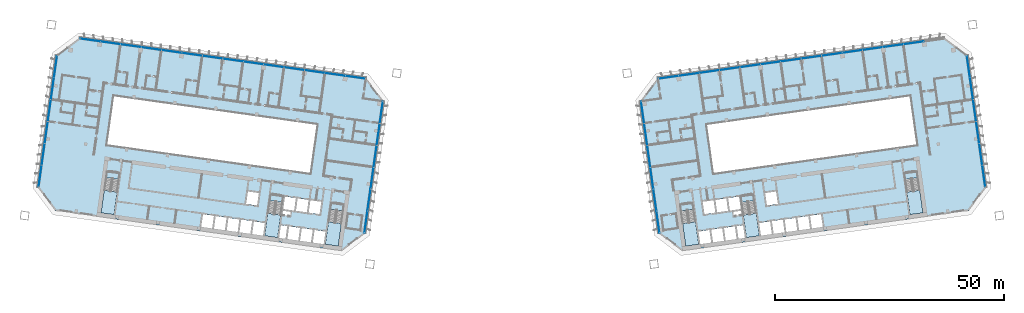
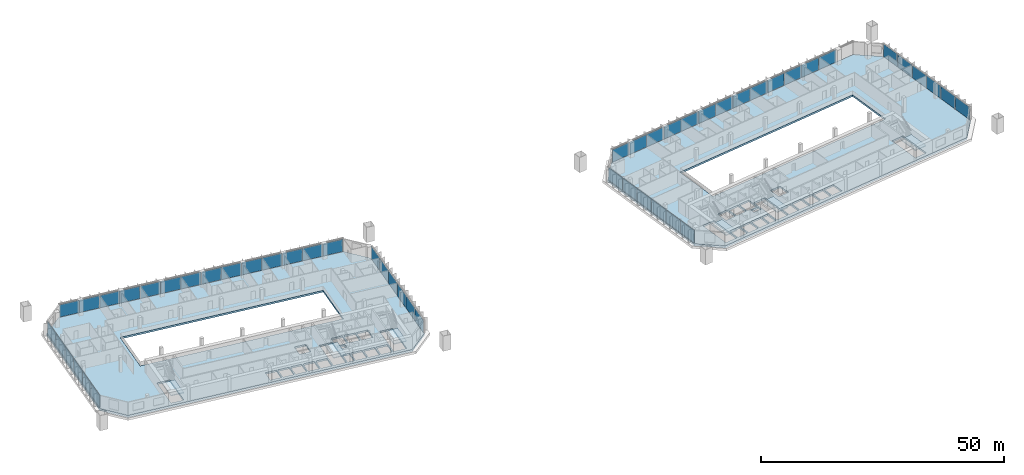
# One storey, part 12 of 24: 51 plates, 8 slabs, 12 elements without a shape of their own.
"""IFC4 building model written with IfcOpenShell, lengths in metres."""

import ifcopenshell
import ifcopenshell.guid

model = None  # the IFC model being written
_history = None  # IfcOwnerHistory: only IFC2X3 demands one
_inside = {}  # id of a spatial element -> (the spatial element, [elements in it])
_under = {}  # id of a project, library or spatial element -> (it, [spatial elements below it])
_declared = {}  # id of a project -> (the project, [libraries it declares])
_typed = {}  # id of a type object -> (the type object, [elements of that type])
_made_of = {}  # id of a material, layer set ... -> (it, [elements and type objects made of it])


def new_model(schema):
    """Start an empty IFC model of exactly this schema.

    Asked for "IFC4X3", IfcOpenShell would pick the latest addendum, in which some entities
    have other attributes; the version numbers below select the first issue.
    IFC2X3 requires an IfcOwnerHistory on every rooted entity: one is made here for all.
    """
    global model, _history
    if schema == "IFC4X3":
        model = ifcopenshell.file(schema_version=(4, 3, 0, 0))
    else:
        model = ifcopenshell.file(schema=schema)
    _inside.clear()
    _under.clear()
    _declared.clear()
    _typed.clear()
    _made_of.clear()
    _history = None
    if model.schema == "IFC2X3":
        org = make("IfcOrganization", Name="unknown")
        user = make(
            "IfcPersonAndOrganization",
            ThePerson=make("IfcPerson", FamilyName="unknown"),
            TheOrganization=org,
        )
        app = make(
            "IfcApplication",
            ApplicationDeveloper=org,
            Version="unknown",
            ApplicationFullName="unknown",
            ApplicationIdentifier="unknown",
        )
        _history = make(
            "IfcOwnerHistory",
            OwningUser=user,
            OwningApplication=app,
            ChangeAction="ADDED",
            CreationDate=0,
        )
    return model


def make(cls, **values):
    """One entity of the class cls with the attributes given. An attribute that is None is left unset."""
    return model.create_entity(
        cls, **{name: value for name, value in values.items() if value is not None}
    )


def rooted(cls, **values):
    """An entity with a GlobalId (a new one), such as an element, a storey or a relation."""
    return make(cls, GlobalId=ifcopenshell.guid.new(), OwnerHistory=_history, **values)


def si_unit(unit_type, name, prefix=None):
    """IfcSIUnit, for example si_unit("LENGTHUNIT", "METRE", prefix="MILLI")."""
    return make("IfcSIUnit", UnitType=unit_type, Prefix=prefix, Name=name)


def assignment(units):
    """IfcUnitAssignment: the units of a project."""
    return None if units is None else make("IfcUnitAssignment", Units=units)


def point(xyz):
    """IfcCartesianPoint."""
    return None if xyz is None else make("IfcCartesianPoint", Coordinates=xyz)


def direction(xyz):
    """IfcDirection."""
    return None if xyz is None else make("IfcDirection", DirectionRatios=xyz)


def frame(location, z_axis=None, x_axis=None):
    """IfcAxis2Placement3D, a coordinate frame: its origin and axes. An axis left out is left unset."""
    return make(
        "IfcAxis2Placement3D",
        Location=point(location),
        Axis=direction(z_axis),
        RefDirection=direction(x_axis),
    )


def frame_2d(location, x_axis=None):
    """IfcAxis2Placement2D, a coordinate frame in the plane: its origin and x axis."""
    return make(
        "IfcAxis2Placement2D", Location=point(location), RefDirection=direction(x_axis)
    )


def origin():
    """The frame at (0, 0, 0) with its axes left unset."""
    return frame((0.0, 0.0, 0.0))


def origin_2d():
    """The frame at (0, 0) in the plane with its x axis left unset."""
    return frame_2d((0.0, 0.0))


def place(relative_to, where):
    """IfcLocalPlacement: puts the frame where relative to a parent placement (None: the world)."""
    return make(
        "IfcLocalPlacement", PlacementRelTo=relative_to, RelativePlacement=where
    )


def context(
    kind, dimensions, precision=None, world=None, true_north=None, identifier=None
):
    """IfcGeometricRepresentationContext, for example the 3D "Model" context."""
    return make(
        "IfcGeometricRepresentationContext",
        ContextIdentifier=identifier,
        ContextType=kind,
        CoordinateSpaceDimension=dimensions,
        Precision=precision,
        WorldCoordinateSystem=world,
        TrueNorth=true_north,
    )


def subcontext(parent, identifier, kind, view, scale=None):
    """IfcGeometricRepresentationSubContext, for example "Body" below "Model"."""
    return make(
        "IfcGeometricRepresentationSubContext",
        ContextIdentifier=identifier,
        ContextType=kind,
        ParentContext=parent,
        TargetScale=scale,
        TargetView=view,
    )


def project(units=None, contexts=None):
    """IfcProject with its units and contexts."""
    return rooted(
        "IfcProject",
        Name="project",
        RepresentationContexts=contexts,
        UnitsInContext=assignment(units),
    )


def spatial(cls, under=None, at=None, **own):
    """A site, building, storey or space (cls), placed at a placement, below another one or the project."""
    s = rooted(cls, ObjectPlacement=at, **own)
    if under is not None:
        _under.setdefault(under.id(), (under, []))[1].append(s)
    return s


def polyline(points):
    """IfcPolyline through the points."""
    return make("IfcPolyline", Points=[point(p) for p in points])


def profile(cls, at=None, kind="AREA", **sizes):
    """A parametric profile (cls). Its sizes go by their IFC names, for example OverallWidth=200.0."""
    return make(cls, ProfileType=kind, Position=at, **sizes)


def rectangle(**sizes):
    """IfcRectangleProfileDef."""
    return profile("IfcRectangleProfileDef", **sizes)


def outline(outer, holes=None, kind="AREA"):
    """IfcArbitraryClosedProfileDef: a profile drawn as a closed curve; with holes, ...WithVoids."""
    if holes is None:
        return make("IfcArbitraryClosedProfileDef", ProfileType=kind, OuterCurve=outer)
    return make(
        "IfcArbitraryProfileDefWithVoids",
        ProfileType=kind,
        OuterCurve=outer,
        InnerCurves=holes,
    )


def extrude(swept, where, along, depth):
    """IfcExtrudedAreaSolid: the profile swept, set in the frame where, extruded along a direction by depth."""
    return make(
        "IfcExtrudedAreaSolid",
        SweptArea=swept,
        Position=where,
        ExtrudedDirection=direction(along),
        Depth=depth,
    )


def shape(context_of_items, identifier, shape_type, items):
    """IfcShapeRepresentation: the items that make up one representation, for example the "Body"."""
    return make(
        "IfcShapeRepresentation",
        ContextOfItems=context_of_items,
        RepresentationIdentifier=identifier,
        RepresentationType=shape_type,
        Items=items,
    )


def material(Name=None, Category=None):
    """IfcMaterial."""
    return make("IfcMaterial", Name=Name, Category=Category)


def layer(
    of_material, thickness, ventilated=None, Name=None, Category=None, Priority=None
):
    """IfcMaterialLayer: one layer of a wall or slab, of a material (None: an air gap)."""
    return make(
        "IfcMaterialLayer",
        Material=of_material,
        LayerThickness=thickness,
        IsVentilated=ventilated,
        Name=Name,
        Category=Category,
        Priority=Priority,
    )


def layer_set(layers, Name=None):
    """IfcMaterialLayerSet."""
    return make("IfcMaterialLayerSet", MaterialLayers=layers, LayerSetName=Name)


def made_of(thing, what):
    """Note that an element or type object is made of a material, layer set ...; save() writes the relation."""
    if what is not None:
        _made_of.setdefault(what.id(), (what, []))[1].append(thing)
    return thing


def type_object(cls, material=None, **own):
    """A type object (cls), such as IfcWallType, which elements share."""
    return made_of(rooted(cls, **own), material)


def element(
    cls,
    number,
    at=None,
    inside=None,
    cuts=None,
    type_object=None,
    material=None,
    context=None,
    identifier="Body",
    shape_type=None,
    held_by="IfcProductDefinitionShape",
    body=None,
    shapes=None,
    **own,
):
    """One element of the class cls, such as IfcWall. Its Tag is "e" and its number.

    at: its placement. inside: the storey or other place that contains it. cuts: it is an
    opening in that element (IfcRelVoidsElement). A single representation is given by context,
    identifier, shape_type and body (its items); several are given by shapes. held_by: the class
    of the entity that holds the representations. save() writes the other relations.
    """
    e = rooted(cls, Tag="e%d" % number, ObjectPlacement=at, **own)
    if body is not None:
        shapes = [shape(context, identifier, shape_type, body)]
    if shapes is not None:
        e.Representation = make(held_by, Representations=shapes)
    if inside is not None:
        _inside.setdefault(inside.id(), (inside, []))[1].append(e)
    if cuts is not None:
        rooted(
            "IfcRelVoidsElement", RelatingBuildingElement=cuts, RelatedOpeningElement=e
        )
    if type_object is not None:
        _typed.setdefault(type_object.id(), (type_object, []))[1].append(e)
    return made_of(e, material)


def aggregate(whole, parts):
    """IfcRelAggregates: a whole, such as a stair, and the parts it consists of."""
    return rooted("IfcRelAggregates", RelatingObject=whole, RelatedObjects=parts)


def save(model, path):
    """Write the relations noted so far, then the file.

    IfcRelAggregates (storeys below a building ...), IfcRelContainedInSpatialStructure (elements
    in a storey), IfcRelDefinesByType, IfcRelAssociatesMaterial and IfcRelDeclares: one each for
    every whole, place, type object, material and project.
    """
    for whole, parts in _under.values():
        aggregate(whole, parts)
    for where, things in _inside.values():
        rooted(
            "IfcRelContainedInSpatialStructure",
            RelatedElements=things,
            RelatingStructure=where,
        )
    for kind, things in _typed.values():
        rooted("IfcRelDefinesByType", RelatedObjects=things, RelatingType=kind)
    for what, things in _made_of.values():
        rooted("IfcRelAssociatesMaterial", RelatedObjects=things, RelatingMaterial=what)
    for by, libraries in _declared.values():
        rooted("IfcRelDeclares", RelatingContext=by, RelatedDefinitions=libraries)
    model.write(path)


model = new_model("IFC4")

# Units and contexts
model_context = context("Model", 3, precision=1e-05, world=origin(), true_north=direction((0.0, 1.0)))
body_context = subcontext(model_context, "Body", "Model", "MODEL_VIEW")
ifc_project = project(units=[si_unit("LENGTHUNIT", "METRE"), si_unit("AREAUNIT", "SQUARE_METRE"), si_unit("VOLUMEUNIT", "CUBIC_METRE"), si_unit("PLANEANGLEUNIT", "RADIAN"), si_unit("MASSUNIT", "GRAM", prefix="KILO")], contexts=[model_context])

# Site, building, storey
site_placement = place(None, origin())
site = spatial("IfcSite", under=ifc_project, at=site_placement, CompositionType="ELEMENT")
building_placement = place(site_placement, origin())
building = spatial("IfcBuilding", under=site, at=building_placement, Name="Mirante Cascada Hotel Towers", CompositionType="ELEMENT")
storey_placement = place(building_placement, frame((0.0, 0.0, 85.1)))
storey = spatial("IfcBuildingStorey", under=building, at=storey_placement, Name="L18", CompositionType="ELEMENT", Elevation=85.1)

# Curtain wall, plates
ifc_material_1 = material(Name="Aluminium mullion and transom frame with clear laminated glass", Category="aluminium")
curtain_wall_type_1 = type_object("IfcCurtainWallType", Name="Ribbon curtain wall ECW1", PredefinedType="NOTDEFINED", material=ifc_material_1)
curtain_wall_1_placement = place(storey_placement, origin())
curtain_wall_1 = element("IfcCurtainWall", 1, at=curtain_wall_1_placement, inside=storey, type_object=curtain_wall_type_1, Name="Front ribbon wall T1 L18", PredefinedType="NOTDEFINED")
ifc_material_2 = material(Name="Clear laminated glass", Category="glass")
ifc_layer_1 = layer(ifc_material_2, 0.036)
ifc_layer_set_1 = layer_set([ifc_layer_1], Name="ECW1 glass panel 36")
plate_type_1 = type_object("IfcPlateType", Name="ECW1 glass panel 36", PredefinedType="CURTAIN_PANEL", material=ifc_layer_set_1)
plate_1_placement = place(storey_placement, frame((-91.9184, 25.7373, 0.1), z_axis=(0.0, 0.0, 1.0), x_axis=(0.9902681, -0.1391731, 0.0)))
plate_1 = element("IfcPlate", 2, at=plate_1_placement, type_object=plate_type_1, Name="ECW1 panel 1", PredefinedType="CURTAIN_PANEL", context=body_context, shape_type="SweptSolid", body=[
    extrude(rectangle(XDim=4.3936, YDim=0.036, at=origin_2d()), origin(), (0.0, 0.0, 1.0), 3.15),
])
plate_2_placement = place(storey_placement, frame((-87.487, 25.1145, 0.1), z_axis=(0.0, 0.0, 1.0), x_axis=(0.9902681, -0.1391731, 0.0)))
plate_2 = element("IfcPlate", 3, at=plate_2_placement, type_object=plate_type_1, Name="ECW1 panel 2", PredefinedType="CURTAIN_PANEL", context=body_context, shape_type="SweptSolid", body=[
    extrude(rectangle(XDim=4.4261, YDim=0.036, at=origin_2d()), origin(), (0.0, 0.0, 1.0), 3.15),
])
plate_3_placement = place(storey_placement, frame((-83.0396, 24.4895, 0.1), z_axis=(0.0, 0.0, 1.0), x_axis=(0.9902681, -0.1391731, 0.0)))
plate_3 = element("IfcPlate", 4, at=plate_3_placement, type_object=plate_type_1, Name="ECW1 panel 3", PredefinedType="CURTAIN_PANEL", context=body_context, shape_type="SweptSolid", body=[
    extrude(rectangle(XDim=4.4261, YDim=0.036, at=origin_2d()), origin(), (0.0, 0.0, 1.0), 3.15),
])
plate_4_placement = place(storey_placement, frame((-78.5922, 23.8644, 0.1), z_axis=(0.0, 0.0, 1.0), x_axis=(0.9902681, -0.1391731, 0.0)))
plate_4 = element("IfcPlate", 5, at=plate_4_placement, type_object=plate_type_1, Name="ECW1 panel 4", PredefinedType="CURTAIN_PANEL", context=body_context, shape_type="SweptSolid", body=[
    extrude(rectangle(XDim=4.4261, YDim=0.036, at=origin_2d()), origin(), (0.0, 0.0, 1.0), 3.15),
])
plate_5_placement = place(storey_placement, frame((-74.1448, 23.2394, 0.1), z_axis=(0.0, 0.0, 1.0), x_axis=(0.9902681, -0.1391731, 0.0)))
plate_5 = element("IfcPlate", 6, at=plate_5_placement, type_object=plate_type_1, Name="ECW1 panel 5", PredefinedType="CURTAIN_PANEL", context=body_context, shape_type="SweptSolid", body=[
    extrude(rectangle(XDim=4.4261, YDim=0.036, at=origin_2d()), origin(), (0.0, 0.0, 1.0), 3.15),
])
plate_6_placement = place(storey_placement, frame((-69.6974, 22.6144, 0.1), z_axis=(0.0, 0.0, 1.0), x_axis=(0.9902681, -0.1391731, 0.0)))
plate_6 = element("IfcPlate", 7, at=plate_6_placement, type_object=plate_type_1, Name="ECW1 panel 6", PredefinedType="CURTAIN_PANEL", context=body_context, shape_type="SweptSolid", body=[
    extrude(rectangle(XDim=4.4261, YDim=0.036, at=origin_2d()), origin(), (0.0, 0.0, 1.0), 3.15),
])
plate_7_placement = place(storey_placement, frame((-65.2499, 21.9893, 0.1), z_axis=(0.0, 0.0, 1.0), x_axis=(0.9902681, -0.1391731, 0.0)))
plate_7 = element("IfcPlate", 8, at=plate_7_placement, type_object=plate_type_1, Name="ECW1 panel 7", PredefinedType="CURTAIN_PANEL", context=body_context, shape_type="SweptSolid", body=[
    extrude(rectangle(XDim=4.4261, YDim=0.036, at=origin_2d()), origin(), (0.0, 0.0, 1.0), 3.15),
])
plate_8_placement = place(storey_placement, frame((-60.8025, 21.3643, 0.1), z_axis=(0.0, 0.0, 1.0), x_axis=(0.9902681, -0.1391731, 0.0)))
plate_8 = element("IfcPlate", 9, at=plate_8_placement, type_object=plate_type_1, Name="ECW1 panel 8", PredefinedType="CURTAIN_PANEL", context=body_context, shape_type="SweptSolid", body=[
    extrude(rectangle(XDim=4.4261, YDim=0.036, at=origin_2d()), origin(), (0.0, 0.0, 1.0), 3.15),
])
plate_9_placement = place(storey_placement, frame((-56.3551, 20.7392, 0.1), z_axis=(0.0, 0.0, 1.0), x_axis=(0.9902681, -0.1391731, 0.0)))
plate_9 = element("IfcPlate", 10, at=plate_9_placement, type_object=plate_type_1, Name="ECW1 panel 9", PredefinedType="CURTAIN_PANEL", context=body_context, shape_type="SweptSolid", body=[
    extrude(rectangle(XDim=4.4261, YDim=0.036, at=origin_2d()), origin(), (0.0, 0.0, 1.0), 3.15),
])
plate_10_placement = place(storey_placement, frame((-51.9077, 20.1142, 0.1), z_axis=(0.0, 0.0, 1.0), x_axis=(0.9902681, -0.1391731, 0.0)))
plate_10 = element("IfcPlate", 11, at=plate_10_placement, type_object=plate_type_1, Name="ECW1 panel 10", PredefinedType="CURTAIN_PANEL", context=body_context, shape_type="SweptSolid", body=[
    extrude(rectangle(XDim=4.4261, YDim=0.036, at=origin_2d()), origin(), (0.0, 0.0, 1.0), 3.15),
])
plate_11_placement = place(storey_placement, frame((-47.4603, 19.4891, 0.1), z_axis=(0.0, 0.0, 1.0), x_axis=(0.9902681, -0.1391731, 0.0)))
plate_11 = element("IfcPlate", 12, at=plate_11_placement, type_object=plate_type_1, Name="ECW1 panel 11", PredefinedType="CURTAIN_PANEL", context=body_context, shape_type="SweptSolid", body=[
    extrude(rectangle(XDim=4.4261, YDim=0.036, at=origin_2d()), origin(), (0.0, 0.0, 1.0), 3.15),
])
plate_12_placement = place(storey_placement, frame((-43.0129, 18.8641, 0.1), z_axis=(0.0, 0.0, 1.0), x_axis=(0.9902681, -0.1391731, 0.0)))
plate_12 = element("IfcPlate", 13, at=plate_12_placement, type_object=plate_type_1, Name="ECW1 panel 12", PredefinedType="CURTAIN_PANEL", context=body_context, shape_type="SweptSolid", body=[
    extrude(rectangle(XDim=4.4261, YDim=0.036, at=origin_2d()), origin(), (0.0, 0.0, 1.0), 3.15),
])
plate_13_placement = place(storey_placement, frame((-38.5654, 18.239, 0.1), z_axis=(0.0, 0.0, 1.0), x_axis=(0.9902681, -0.1391731, 0.0)))
plate_13 = element("IfcPlate", 14, at=plate_13_placement, type_object=plate_type_1, Name="ECW1 panel 13", PredefinedType="CURTAIN_PANEL", context=body_context, shape_type="SweptSolid", body=[
    extrude(rectangle(XDim=4.4261, YDim=0.036, at=origin_2d()), origin(), (0.0, 0.0, 1.0), 3.15),
])
plate_14_placement = place(storey_placement, frame((-34.1341, 17.6163, 0.1), z_axis=(0.0, 0.0, 1.0), x_axis=(0.9902681, -0.1391731, 0.0)))
plate_14 = element("IfcPlate", 15, at=plate_14_placement, type_object=plate_type_1, Name="ECW1 panel 14", PredefinedType="CURTAIN_PANEL", context=body_context, shape_type="SweptSolid", body=[
    extrude(rectangle(XDim=4.3936, YDim=0.036, at=origin_2d()), origin(), (0.0, 0.0, 1.0), 3.15),
])
aggregate(curtain_wall_1, [plate_1, plate_2, plate_3, plate_4, plate_5, plate_6, plate_7, plate_8, plate_9, plate_10, plate_11, plate_12, plate_13, plate_14])

curtain_wall_2_placement = place(storey_placement, origin())
curtain_wall_2 = element("IfcCurtainWall", 16, at=curtain_wall_2_placement, inside=storey, type_object=curtain_wall_type_1, Name="Front ribbon wall T2 L18", PredefinedType="NOTDEFINED")
plate_15_placement = place(storey_placement, frame((87.487, 25.1145, 0.1), z_axis=(0.0, 0.0, 1.0), x_axis=(-0.9902681, -0.1391731, 0.0)))
plate_15 = element("IfcPlate", 17, at=plate_15_placement, type_object=plate_type_1, Name="ECW1 panel 2", PredefinedType="CURTAIN_PANEL", context=body_context, shape_type="SweptSolid", body=[
    extrude(rectangle(XDim=4.4261, YDim=0.036, at=origin_2d()), origin(), (0.0, 0.0, 1.0), 3.15),
])
plate_16_placement = place(storey_placement, frame((83.0396, 24.4895, 0.1), z_axis=(0.0, 0.0, 1.0), x_axis=(-0.9902681, -0.1391731, 0.0)))
plate_16 = element("IfcPlate", 18, at=plate_16_placement, type_object=plate_type_1, Name="ECW1 panel 3", PredefinedType="CURTAIN_PANEL", context=body_context, shape_type="SweptSolid", body=[
    extrude(rectangle(XDim=4.4261, YDim=0.036, at=origin_2d()), origin(), (0.0, 0.0, 1.0), 3.15),
])
plate_17_placement = place(storey_placement, frame((78.5922, 23.8644, 0.1), z_axis=(0.0, 0.0, 1.0), x_axis=(-0.9902681, -0.1391731, 0.0)))
plate_17 = element("IfcPlate", 19, at=plate_17_placement, type_object=plate_type_1, Name="ECW1 panel 4", PredefinedType="CURTAIN_PANEL", context=body_context, shape_type="SweptSolid", body=[
    extrude(rectangle(XDim=4.4261, YDim=0.036, at=origin_2d()), origin(), (0.0, 0.0, 1.0), 3.15),
])
plate_18_placement = place(storey_placement, frame((74.1448, 23.2394, 0.1), z_axis=(0.0, 0.0, 1.0), x_axis=(-0.9902681, -0.1391731, 0.0)))
plate_18 = element("IfcPlate", 20, at=plate_18_placement, type_object=plate_type_1, Name="ECW1 panel 5", PredefinedType="CURTAIN_PANEL", context=body_context, shape_type="SweptSolid", body=[
    extrude(rectangle(XDim=4.4261, YDim=0.036, at=origin_2d()), origin(), (0.0, 0.0, 1.0), 3.15),
])
plate_19_placement = place(storey_placement, frame((69.6974, 22.6144, 0.1), z_axis=(0.0, 0.0, 1.0), x_axis=(-0.9902681, -0.1391731, 0.0)))
plate_19 = element("IfcPlate", 21, at=plate_19_placement, type_object=plate_type_1, Name="ECW1 panel 6", PredefinedType="CURTAIN_PANEL", context=body_context, shape_type="SweptSolid", body=[
    extrude(rectangle(XDim=4.4261, YDim=0.036, at=origin_2d()), origin(), (0.0, 0.0, 1.0), 3.15),
])
plate_20_placement = place(storey_placement, frame((65.2499, 21.9893, 0.1), z_axis=(0.0, 0.0, 1.0), x_axis=(-0.9902681, -0.1391731, 0.0)))
plate_20 = element("IfcPlate", 22, at=plate_20_placement, type_object=plate_type_1, Name="ECW1 panel 7", PredefinedType="CURTAIN_PANEL", context=body_context, shape_type="SweptSolid", body=[
    extrude(rectangle(XDim=4.4261, YDim=0.036, at=origin_2d()), origin(), (0.0, 0.0, 1.0), 3.15),
])
plate_21_placement = place(storey_placement, frame((60.8025, 21.3643, 0.1), z_axis=(0.0, 0.0, 1.0), x_axis=(-0.9902681, -0.1391731, 0.0)))
plate_21 = element("IfcPlate", 23, at=plate_21_placement, type_object=plate_type_1, Name="ECW1 panel 8", PredefinedType="CURTAIN_PANEL", context=body_context, shape_type="SweptSolid", body=[
    extrude(rectangle(XDim=4.4261, YDim=0.036, at=origin_2d()), origin(), (0.0, 0.0, 1.0), 3.15),
])
plate_22_placement = place(storey_placement, frame((56.3551, 20.7392, 0.1), z_axis=(0.0, 0.0, 1.0), x_axis=(-0.9902681, -0.1391731, 0.0)))
plate_22 = element("IfcPlate", 24, at=plate_22_placement, type_object=plate_type_1, Name="ECW1 panel 9", PredefinedType="CURTAIN_PANEL", context=body_context, shape_type="SweptSolid", body=[
    extrude(rectangle(XDim=4.4261, YDim=0.036, at=origin_2d()), origin(), (0.0, 0.0, 1.0), 3.15),
])
plate_23_placement = place(storey_placement, frame((51.9077, 20.1142, 0.1), z_axis=(0.0, 0.0, 1.0), x_axis=(-0.9902681, -0.1391731, 0.0)))
plate_23 = element("IfcPlate", 25, at=plate_23_placement, type_object=plate_type_1, Name="ECW1 panel 10", PredefinedType="CURTAIN_PANEL", context=body_context, shape_type="SweptSolid", body=[
    extrude(rectangle(XDim=4.4261, YDim=0.036, at=origin_2d()), origin(), (0.0, 0.0, 1.0), 3.15),
])
plate_24_placement = place(storey_placement, frame((47.4603, 19.4891, 0.1), z_axis=(0.0, 0.0, 1.0), x_axis=(-0.9902681, -0.1391731, 0.0)))
plate_24 = element("IfcPlate", 26, at=plate_24_placement, type_object=plate_type_1, Name="ECW1 panel 11", PredefinedType="CURTAIN_PANEL", context=body_context, shape_type="SweptSolid", body=[
    extrude(rectangle(XDim=4.4261, YDim=0.036, at=origin_2d()), origin(), (0.0, 0.0, 1.0), 3.15),
])
plate_25_placement = place(storey_placement, frame((43.0129, 18.8641, 0.1), z_axis=(0.0, 0.0, 1.0), x_axis=(-0.9902681, -0.1391731, 0.0)))
plate_25 = element("IfcPlate", 27, at=plate_25_placement, type_object=plate_type_1, Name="ECW1 panel 12", PredefinedType="CURTAIN_PANEL", context=body_context, shape_type="SweptSolid", body=[
    extrude(rectangle(XDim=4.4261, YDim=0.036, at=origin_2d()), origin(), (0.0, 0.0, 1.0), 3.15),
])
plate_26_placement = place(storey_placement, frame((38.5654, 18.239, 0.1), z_axis=(0.0, 0.0, 1.0), x_axis=(-0.9902681, -0.1391731, 0.0)))
plate_26 = element("IfcPlate", 28, at=plate_26_placement, type_object=plate_type_1, Name="ECW1 panel 13", PredefinedType="CURTAIN_PANEL", context=body_context, shape_type="SweptSolid", body=[
    extrude(rectangle(XDim=4.4261, YDim=0.036, at=origin_2d()), origin(), (0.0, 0.0, 1.0), 3.15),
])
plate_27_placement = place(storey_placement, frame((34.1341, 17.6163, 0.1), z_axis=(0.0, 0.0, 1.0), x_axis=(-0.9902681, -0.1391731, 0.0)))
plate_27 = element("IfcPlate", 29, at=plate_27_placement, type_object=plate_type_1, Name="ECW1 panel 14", PredefinedType="CURTAIN_PANEL", context=body_context, shape_type="SweptSolid", body=[
    extrude(rectangle(XDim=4.3936, YDim=0.036, at=origin_2d()), origin(), (0.0, 0.0, 1.0), 3.15),
])
aggregate(curtain_wall_2, [plate_15, plate_16, plate_17, plate_18, plate_19, plate_20, plate_21, plate_22, plate_23, plate_24, plate_25, plate_26, plate_27])

ifc_material_3 = material(Name="Aluminium mullion and transom frame with clear laminated glass", Category="aluminium")
curtain_wall_type_2 = type_object("IfcCurtainWallType", Name="End ribbon curtain wall ECW2", PredefinedType="NOTDEFINED", material=ifc_material_3)
curtain_wall_3_placement = place(storey_placement, origin())
curtain_wall_3 = element("IfcCurtainWall", 30, at=curtain_wall_3_placement, inside=storey, type_object=curtain_wall_type_2, Name="Inner end wall T1 L18", PredefinedType="NOTDEFINED")
ifc_material_4 = material(Name="Clear laminated glass", Category="glass")
ifc_layer_2 = layer(ifc_material_4, 0.034)
ifc_layer_set_2 = layer_set([ifc_layer_2], Name="ECW2 glass panel 34")
plate_type_2 = type_object("IfcPlateType", Name="ECW2 glass panel 34", PredefinedType="CURTAIN_PANEL", material=ifc_layer_set_2)
plate_28_placement = place(storey_placement, frame((-28.4763, 9.9193, 0.1), z_axis=(0.0, 0.0, 1.0), x_axis=(-0.1391731, -0.9902681, 0.0)))
plate_28 = element("IfcPlate", 31, at=plate_28_placement, type_object=plate_type_2, Name="ECW2 panel 1", PredefinedType="CURTAIN_PANEL", context=body_context, shape_type="SweptSolid", body=[
    extrude(rectangle(XDim=4.7151, YDim=0.034, at=origin_2d()), origin(), (0.0, 0.0, 1.0), 3.15),
])
plate_29_placement = place(storey_placement, frame((-29.1439, 5.1696, 0.1), z_axis=(0.0, 0.0, 1.0), x_axis=(-0.1391731, -0.9902681, 0.0)))
plate_29 = element("IfcPlate", 32, at=plate_29_placement, type_object=plate_type_2, Name="ECW2 panel 2", PredefinedType="CURTAIN_PANEL", context=body_context, shape_type="SweptSolid", body=[
    extrude(rectangle(XDim=4.7476, YDim=0.034, at=origin_2d()), origin(), (0.0, 0.0, 1.0), 3.15),
])
plate_30_placement = place(storey_placement, frame((-29.8136, 0.4038, 0.1), z_axis=(0.0, 0.0, 1.0), x_axis=(-0.1391731, -0.9902681, 0.0)))
plate_30 = element("IfcPlate", 33, at=plate_30_placement, type_object=plate_type_2, Name="ECW2 panel 3", PredefinedType="CURTAIN_PANEL", context=body_context, shape_type="SweptSolid", body=[
    extrude(rectangle(XDim=4.7476, YDim=0.034, at=origin_2d()), origin(), (0.0, 0.0, 1.0), 3.15),
])
plate_31_placement = place(storey_placement, frame((-30.4834, -4.362, 0.1), z_axis=(0.0, 0.0, 1.0), x_axis=(-0.1391731, -0.9902681, 0.0)))
plate_31 = element("IfcPlate", 34, at=plate_31_placement, type_object=plate_type_2, Name="ECW2 panel 4", PredefinedType="CURTAIN_PANEL", context=body_context, shape_type="SweptSolid", body=[
    extrude(rectangle(XDim=4.7476, YDim=0.034, at=origin_2d()), origin(), (0.0, 0.0, 1.0), 3.15),
])
plate_32_placement = place(storey_placement, frame((-31.1532, -9.1278, 0.1), z_axis=(0.0, 0.0, 1.0), x_axis=(-0.1391731, -0.9902681, 0.0)))
plate_32 = element("IfcPlate", 35, at=plate_32_placement, type_object=plate_type_2, Name="ECW2 panel 5", PredefinedType="CURTAIN_PANEL", context=body_context, shape_type="SweptSolid", body=[
    extrude(rectangle(XDim=4.7476, YDim=0.034, at=origin_2d()), origin(), (0.0, 0.0, 1.0), 3.15),
])
plate_33_placement = place(storey_placement, frame((-31.8207, -13.8775, 0.1), z_axis=(0.0, 0.0, 1.0), x_axis=(-0.1391731, -0.9902681, 0.0)))
plate_33 = element("IfcPlate", 36, at=plate_33_placement, type_object=plate_type_2, Name="ECW2 panel 6", PredefinedType="CURTAIN_PANEL", context=body_context, shape_type="SweptSolid", body=[
    extrude(rectangle(XDim=4.7151, YDim=0.034, at=origin_2d()), origin(), (0.0, 0.0, 1.0), 3.15),
])
aggregate(curtain_wall_3, [plate_28, plate_29, plate_30, plate_31, plate_32, plate_33])

curtain_wall_4_placement = place(storey_placement, origin())
curtain_wall_4 = element("IfcCurtainWall", 37, at=curtain_wall_4_placement, inside=storey, type_object=curtain_wall_type_2, Name="Outer end wall T1 L18", PredefinedType="NOTDEFINED")
plate_34_placement = place(storey_placement, frame((-102.823, -3.8988, 0.1), z_axis=(0.0, 0.0, 1.0), x_axis=(0.1391731, 0.9902681, 0.0)))
plate_34 = element("IfcPlate", 38, at=plate_34_placement, type_object=plate_type_2, Name="ECW2 panel 1", PredefinedType="CURTAIN_PANEL", context=body_context, shape_type="SweptSolid", body=[
    extrude(rectangle(XDim=4.7151, YDim=0.034, at=origin_2d()), origin(), (0.0, 0.0, 1.0), 3.15),
])
plate_35_placement = place(storey_placement, frame((-102.1554, 0.8509, 0.1), z_axis=(0.0, 0.0, 1.0), x_axis=(0.1391731, 0.9902681, 0.0)))
plate_35 = element("IfcPlate", 39, at=plate_35_placement, type_object=plate_type_2, Name="ECW2 panel 2", PredefinedType="CURTAIN_PANEL", context=body_context, shape_type="SweptSolid", body=[
    extrude(rectangle(XDim=4.7476, YDim=0.034, at=origin_2d()), origin(), (0.0, 0.0, 1.0), 3.15),
])
plate_36_placement = place(storey_placement, frame((-101.4857, 5.6167, 0.1), z_axis=(0.0, 0.0, 1.0), x_axis=(0.1391731, 0.9902681, 0.0)))
plate_36 = element("IfcPlate", 40, at=plate_36_placement, type_object=plate_type_2, Name="ECW2 panel 3", PredefinedType="CURTAIN_PANEL", context=body_context, shape_type="SweptSolid", body=[
    extrude(rectangle(XDim=4.7476, YDim=0.034, at=origin_2d()), origin(), (0.0, 0.0, 1.0), 3.15),
])
plate_37_placement = place(storey_placement, frame((-100.8159, 10.3825, 0.1), z_axis=(0.0, 0.0, 1.0), x_axis=(0.1391731, 0.9902681, 0.0)))
plate_37 = element("IfcPlate", 41, at=plate_37_placement, type_object=plate_type_2, Name="ECW2 panel 4", PredefinedType="CURTAIN_PANEL", context=body_context, shape_type="SweptSolid", body=[
    extrude(rectangle(XDim=4.7476, YDim=0.034, at=origin_2d()), origin(), (0.0, 0.0, 1.0), 3.15),
])
plate_38_placement = place(storey_placement, frame((-100.1461, 15.1483, 0.1), z_axis=(0.0, 0.0, 1.0), x_axis=(0.1391731, 0.9902681, 0.0)))
plate_38 = element("IfcPlate", 42, at=plate_38_placement, type_object=plate_type_2, Name="ECW2 panel 5", PredefinedType="CURTAIN_PANEL", context=body_context, shape_type="SweptSolid", body=[
    extrude(rectangle(XDim=4.7476, YDim=0.034, at=origin_2d()), origin(), (0.0, 0.0, 1.0), 3.15),
])
plate_39_placement = place(storey_placement, frame((-99.4786, 19.898, 0.1), z_axis=(0.0, 0.0, 1.0), x_axis=(0.1391731, 0.9902681, 0.0)))
plate_39 = element("IfcPlate", 43, at=plate_39_placement, type_object=plate_type_2, Name="ECW2 panel 6", PredefinedType="CURTAIN_PANEL", context=body_context, shape_type="SweptSolid", body=[
    extrude(rectangle(XDim=4.7151, YDim=0.034, at=origin_2d()), origin(), (0.0, 0.0, 1.0), 3.15),
])
aggregate(curtain_wall_4, [plate_34, plate_35, plate_36, plate_37, plate_38, plate_39])

curtain_wall_5_placement = place(storey_placement, origin())
curtain_wall_5 = element("IfcCurtainWall", 44, at=curtain_wall_5_placement, inside=storey, type_object=curtain_wall_type_2, Name="Inner end wall T2 L18", PredefinedType="NOTDEFINED")
plate_40_placement = place(storey_placement, frame((28.4763, 9.9193, 0.1), z_axis=(0.0, 0.0, 1.0), x_axis=(0.1391731, -0.9902681, 0.0)))
plate_40 = element("IfcPlate", 45, at=plate_40_placement, type_object=plate_type_2, Name="ECW2 panel 1", PredefinedType="CURTAIN_PANEL", context=body_context, shape_type="SweptSolid", body=[
    extrude(rectangle(XDim=4.7151, YDim=0.034, at=origin_2d()), origin(), (0.0, 0.0, 1.0), 3.15),
])
plate_41_placement = place(storey_placement, frame((29.1439, 5.1696, 0.1), z_axis=(0.0, 0.0, 1.0), x_axis=(0.1391731, -0.9902681, 0.0)))
plate_41 = element("IfcPlate", 46, at=plate_41_placement, type_object=plate_type_2, Name="ECW2 panel 2", PredefinedType="CURTAIN_PANEL", context=body_context, shape_type="SweptSolid", body=[
    extrude(rectangle(XDim=4.7476, YDim=0.034, at=origin_2d()), origin(), (0.0, 0.0, 1.0), 3.15),
])
plate_42_placement = place(storey_placement, frame((29.8136, 0.4038, 0.1), z_axis=(0.0, 0.0, 1.0), x_axis=(0.1391731, -0.9902681, 0.0)))
plate_42 = element("IfcPlate", 47, at=plate_42_placement, type_object=plate_type_2, Name="ECW2 panel 3", PredefinedType="CURTAIN_PANEL", context=body_context, shape_type="SweptSolid", body=[
    extrude(rectangle(XDim=4.7476, YDim=0.034, at=origin_2d()), origin(), (0.0, 0.0, 1.0), 3.15),
])
plate_43_placement = place(storey_placement, frame((30.4834, -4.362, 0.1), z_axis=(0.0, 0.0, 1.0), x_axis=(0.1391731, -0.9902681, 0.0)))
plate_43 = element("IfcPlate", 48, at=plate_43_placement, type_object=plate_type_2, Name="ECW2 panel 4", PredefinedType="CURTAIN_PANEL", context=body_context, shape_type="SweptSolid", body=[
    extrude(rectangle(XDim=4.7476, YDim=0.034, at=origin_2d()), origin(), (0.0, 0.0, 1.0), 3.15),
])
plate_44_placement = place(storey_placement, frame((31.1532, -9.1278, 0.1), z_axis=(0.0, 0.0, 1.0), x_axis=(0.1391731, -0.9902681, 0.0)))
plate_44 = element("IfcPlate", 49, at=plate_44_placement, type_object=plate_type_2, Name="ECW2 panel 5", PredefinedType="CURTAIN_PANEL", context=body_context, shape_type="SweptSolid", body=[
    extrude(rectangle(XDim=4.7476, YDim=0.034, at=origin_2d()), origin(), (0.0, 0.0, 1.0), 3.15),
])
plate_45_placement = place(storey_placement, frame((31.8207, -13.8775, 0.1), z_axis=(0.0, 0.0, 1.0), x_axis=(0.1391731, -0.9902681, 0.0)))
plate_45 = element("IfcPlate", 50, at=plate_45_placement, type_object=plate_type_2, Name="ECW2 panel 6", PredefinedType="CURTAIN_PANEL", context=body_context, shape_type="SweptSolid", body=[
    extrude(rectangle(XDim=4.7151, YDim=0.034, at=origin_2d()), origin(), (0.0, 0.0, 1.0), 3.15),
])
aggregate(curtain_wall_5, [plate_40, plate_41, plate_42, plate_43, plate_44, plate_45])

curtain_wall_6_placement = place(storey_placement, origin())
curtain_wall_6 = element("IfcCurtainWall", 51, at=curtain_wall_6_placement, inside=storey, type_object=curtain_wall_type_2, Name="Outer end wall T2 L18", PredefinedType="NOTDEFINED")
plate_46_placement = place(storey_placement, frame((102.823, -3.8988, 0.1), z_axis=(0.0, 0.0, 1.0), x_axis=(-0.1391731, 0.9902681, 0.0)))
plate_46 = element("IfcPlate", 52, at=plate_46_placement, type_object=plate_type_2, Name="ECW2 panel 1", PredefinedType="CURTAIN_PANEL", context=body_context, shape_type="SweptSolid", body=[
    extrude(rectangle(XDim=4.7151, YDim=0.034, at=origin_2d()), origin(), (0.0, 0.0, 1.0), 3.15),
])
plate_47_placement = place(storey_placement, frame((102.1554, 0.8509, 0.1), z_axis=(0.0, 0.0, 1.0), x_axis=(-0.1391731, 0.9902681, 0.0)))
plate_47 = element("IfcPlate", 53, at=plate_47_placement, type_object=plate_type_2, Name="ECW2 panel 2", PredefinedType="CURTAIN_PANEL", context=body_context, shape_type="SweptSolid", body=[
    extrude(rectangle(XDim=4.7476, YDim=0.034, at=origin_2d()), origin(), (0.0, 0.0, 1.0), 3.15),
])
plate_48_placement = place(storey_placement, frame((101.4857, 5.6167, 0.1), z_axis=(0.0, 0.0, 1.0), x_axis=(-0.1391731, 0.9902681, 0.0)))
plate_48 = element("IfcPlate", 54, at=plate_48_placement, type_object=plate_type_2, Name="ECW2 panel 3", PredefinedType="CURTAIN_PANEL", context=body_context, shape_type="SweptSolid", body=[
    extrude(rectangle(XDim=4.7476, YDim=0.034, at=origin_2d()), origin(), (0.0, 0.0, 1.0), 3.15),
])
plate_49_placement = place(storey_placement, frame((100.8159, 10.3825, 0.1), z_axis=(0.0, 0.0, 1.0), x_axis=(-0.1391731, 0.9902681, 0.0)))
plate_49 = element("IfcPlate", 55, at=plate_49_placement, type_object=plate_type_2, Name="ECW2 panel 4", PredefinedType="CURTAIN_PANEL", context=body_context, shape_type="SweptSolid", body=[
    extrude(rectangle(XDim=4.7476, YDim=0.034, at=origin_2d()), origin(), (0.0, 0.0, 1.0), 3.15),
])
plate_50_placement = place(storey_placement, frame((100.1461, 15.1483, 0.1), z_axis=(0.0, 0.0, 1.0), x_axis=(-0.1391731, 0.9902681, 0.0)))
plate_50 = element("IfcPlate", 56, at=plate_50_placement, type_object=plate_type_2, Name="ECW2 panel 5", PredefinedType="CURTAIN_PANEL", context=body_context, shape_type="SweptSolid", body=[
    extrude(rectangle(XDim=4.7476, YDim=0.034, at=origin_2d()), origin(), (0.0, 0.0, 1.0), 3.15),
])
plate_51_placement = place(storey_placement, frame((99.4786, 19.898, 0.1), z_axis=(0.0, 0.0, 1.0), x_axis=(-0.1391731, 0.9902681, 0.0)))
plate_51 = element("IfcPlate", 57, at=plate_51_placement, type_object=plate_type_2, Name="ECW2 panel 6", PredefinedType="CURTAIN_PANEL", context=body_context, shape_type="SweptSolid", body=[
    extrude(rectangle(XDim=4.7151, YDim=0.034, at=origin_2d()), origin(), (0.0, 0.0, 1.0), 3.15),
])
aggregate(curtain_wall_6, [plate_46, plate_47, plate_48, plate_49, plate_50, plate_51])

# Stair, slab
ifc_material_5 = material(Name="Concrete C35/45", Category="concrete")
stair_type = type_object("IfcStairType", Name="Exit stair half-turn 1350 concrete C35/45", PredefinedType="HALF_TURN_STAIR", material=ifc_material_5)
stair_1_placement = place(storey_placement, origin())
stair_1 = element("IfcStair", 58, at=stair_1_placement, inside=storey, type_object=stair_type, Name="L18 Exit stair A", PredefinedType="HALF_TURN_STAIR")
ifc_material_6 = material(Name="Concrete C35/45", Category="concrete")
ifc_layer_3 = layer(ifc_material_6, 0.2)
ifc_layer_set_3 = layer_set([ifc_layer_3], Name="Exit stair landing 200 concrete C35/45")
slab_type_1 = type_object("IfcSlabType", Name="Exit stair landing 200 concrete C35/45", PredefinedType="LANDING", material=ifc_layer_set_3)
slab_1_placement = place(storey_placement, frame((0.0, 0.0, 1.7)))
slab_1 = element("IfcSlab", 59, at=slab_1_placement, type_object=slab_type_1, Name="ST1-A landing 1", PredefinedType="LANDING", context=body_context, shape_type="SweptSolid", body=[
    extrude(outline(polyline([(-39.9987, -13.8659), (-40.6887, -18.7757), (-37.8665, -19.1723), (-37.1765, -14.2626), (-39.9987, -13.8659)])), origin(), (0.0, 0.0, 1.0), 0.2),
])
aggregate(stair_1, [slab_1])

stair_2_placement = place(storey_placement, origin())
stair_2 = element("IfcStair", 60, at=stair_2_placement, inside=storey, type_object=stair_type, Name="L18 Exit stair B", PredefinedType="HALF_TURN_STAIR")
slab_2_placement = place(storey_placement, frame((0.0, 0.0, 1.7)))
slab_2 = element("IfcSlab", 61, at=slab_2_placement, type_object=slab_type_1, Name="ST1-B landing 1", PredefinedType="LANDING", context=body_context, shape_type="SweptSolid", body=[
    extrude(outline(polyline([(-53.2188, -12.008), (-53.9088, -16.9177), (-51.0866, -17.3144), (-50.3965, -12.4046), (-53.2188, -12.008)])), origin(), (0.0, 0.0, 1.0), 0.2),
])
aggregate(stair_2, [slab_2])

stair_3_placement = place(storey_placement, origin())
stair_3 = element("IfcStair", 62, at=stair_3_placement, inside=storey, type_object=stair_type, Name="L18 Exit stair C", PredefinedType="HALF_TURN_STAIR")
slab_3_placement = place(storey_placement, frame((0.0, 0.0, 1.7)))
slab_3 = element("IfcSlab", 63, at=slab_3_placement, type_object=slab_type_1, Name="ST1-C landing 1", PredefinedType="LANDING", context=body_context, shape_type="SweptSolid", body=[
    extrude(outline(polyline([(-88.8685, -6.9977), (-89.5585, -11.9075), (-86.7362, -12.3041), (-86.0462, -7.3944), (-88.8685, -6.9977)])), origin(), (0.0, 0.0, 1.0), 0.2),
])
aggregate(stair_3, [slab_3])

stair_4_placement = place(storey_placement, origin())
stair_4 = element("IfcStair", 64, at=stair_4_placement, inside=storey, type_object=stair_type, Name="L18 Exit stair A", PredefinedType="HALF_TURN_STAIR")
slab_4_placement = place(storey_placement, frame((0.0, 0.0, 1.7)))
slab_4 = element("IfcSlab", 65, at=slab_4_placement, type_object=slab_type_1, Name="ST2-A landing 1", PredefinedType="LANDING", context=body_context, shape_type="SweptSolid", body=[
    extrude(outline(polyline([(37.1765, -14.2626), (37.8665, -19.1723), (40.6887, -18.7757), (39.9987, -13.8659), (37.1765, -14.2626)])), origin(), (0.0, 0.0, 1.0), 0.2),
])
aggregate(stair_4, [slab_4])

stair_5_placement = place(storey_placement, origin())
stair_5 = element("IfcStair", 66, at=stair_5_placement, inside=storey, type_object=stair_type, Name="L18 Exit stair B", PredefinedType="HALF_TURN_STAIR")
slab_5_placement = place(storey_placement, frame((0.0, 0.0, 1.7)))
slab_5 = element("IfcSlab", 67, at=slab_5_placement, type_object=slab_type_1, Name="ST2-B landing 1", PredefinedType="LANDING", context=body_context, shape_type="SweptSolid", body=[
    extrude(outline(polyline([(50.3965, -12.4046), (51.0866, -17.3144), (53.9088, -16.9177), (53.2188, -12.008), (50.3965, -12.4046)])), origin(), (0.0, 0.0, 1.0), 0.2),
])
aggregate(stair_5, [slab_5])

stair_6_placement = place(storey_placement, origin())
stair_6 = element("IfcStair", 68, at=stair_6_placement, inside=storey, type_object=stair_type, Name="L18 Exit stair C", PredefinedType="HALF_TURN_STAIR")
slab_6_placement = place(storey_placement, frame((0.0, 0.0, 1.7)))
slab_6 = element("IfcSlab", 69, at=slab_6_placement, type_object=slab_type_1, Name="ST2-C landing 1", PredefinedType="LANDING", context=body_context, shape_type="SweptSolid", body=[
    extrude(outline(polyline([(86.0462, -7.3944), (86.7362, -12.3041), (89.5585, -11.9075), (88.8685, -6.9977), (86.0462, -7.3944)])), origin(), (0.0, 0.0, 1.0), 0.2),
])
aggregate(stair_6, [slab_6])

# Slabs
ifc_material_7 = material(Name="Concrete C40/50", Category="concrete")
ifc_layer_4 = layer(ifc_material_7, 0.45)
ifc_layer_set_4 = layer_set([ifc_layer_4], Name="Post-tensioned flat plate 450 Concrete C40/50")
slab_type_2 = type_object("IfcSlabType", Name="Post-tensioned flat plate 450 Concrete C40/50", PredefinedType="FLOOR", material=ifc_layer_set_4)
slab_7_placement = place(storey_placement, frame((0.0, 0.0, -0.45)))
element("IfcSlab", 70, at=slab_7_placement, inside=storey, type_object=slab_type_2, Name="Floor T1 L18", PredefinedType="FLOOR", context=body_context, shape_type="SweptSolid", body=[
    extrude(outline(polyline([(-32.018, -16.3589), (-27.982, 12.3589), (-31.8119, 17.4414), (-94.1988, 26.2093), (-99.2813, 22.3794), (-103.3173, -6.3384), (-99.4874, -11.4209), (-37.1005, -20.1888), (-32.018, -16.3589)]), holes=[polyline([(-43.0718, -15.6132), (-40.5961, -15.9612), (-40.9858, -18.7339), (-43.4615, -18.386), (-43.0718, -15.6132)]), polyline([(-45.8446, -15.2236), (-43.3689, -15.5715), (-43.7586, -18.3442), (-46.2342, -17.9963), (-45.8446, -15.2236)]), polyline([(-48.6173, -14.8339), (-46.1416, -15.1818), (-46.5313, -17.9546), (-49.007, -17.6066), (-48.6173, -14.8339)]), polyline([(-50.3998, -14.5834), (-48.9144, -14.7921), (-49.3041, -17.5649), (-50.7895, -17.3561), (-50.3998, -14.5834)]), polyline([(-36.7887, -11.5037), (-37.8665, -19.1723), (-40.6887, -18.7757), (-39.611, -11.107), (-36.7887, -11.5037)]), polyline([(-49.9544, -11.4145), (-48.1472, -11.6685), (-48.2829, -12.634), (-50.0901, -12.38), (-49.9544, -11.4145)]), polyline([(-43.9775, -9.124), (-41.5018, -9.472), (-41.8915, -12.2447), (-44.3672, -11.8968), (-43.9775, -9.124)]), polyline([(-47.1399, -11.5071), (-46.7503, -8.7344), (-44.2746, -9.0823), (-44.6643, -11.855), (-47.1399, -11.5071)]), polyline([(-49.9127, -11.1174), (-49.523, -8.3447), (-47.0473, -8.6926), (-47.437, -11.4654), (-49.9127, -11.1174)]), polyline([(-56.2919, -13.7553), (-53.8162, -14.1032), (-54.2059, -16.876), (-56.6816, -16.528), (-56.2919, -13.7553)]), polyline([(-59.0646, -13.3656), (-56.589, -13.7135), (-56.9787, -16.4863), (-59.4543, -16.1383), (-59.0646, -13.3656)]), polyline([(-61.8374, -12.9759), (-59.3617, -13.3238), (-59.7514, -16.0966), (-62.2271, -15.7487), (-61.8374, -12.9759)]), polyline([(-64.6101, -12.5862), (-62.1345, -12.9342), (-62.5242, -15.7069), (-64.9998, -15.359), (-64.6101, -12.5862)]), polyline([(-67.3829, -12.1965), (-64.9072, -12.5445), (-65.2969, -15.3172), (-67.7726, -14.9693), (-67.3829, -12.1965)]), polyline([(-50.0088, -9.6457), (-51.0866, -17.3144), (-53.9088, -16.9177), (-52.8311, -9.2491), (-50.0088, -9.6457)]), polyline([(-85.6585, -4.6355), (-86.7362, -12.3041), (-89.5585, -11.9075), (-88.4807, -4.2388), (-85.6585, -4.6355)]), polyline([(-57.9834, -9.9832), (-57.5937, -7.2104), (-55.118, -7.5583), (-55.5077, -10.3311), (-57.9834, -9.9832)]), polyline([(-88.4039, 2.7747), (-86.873, 13.6677), (-42.3109, 7.4049), (-43.8418, -3.4881), (-88.4039, 2.7747)])]), origin(), (0.0, 0.0, 1.0), 0.45),
])
slab_8_placement = place(storey_placement, frame((0.0, 0.0, -0.45)))
element("IfcSlab", 71, at=slab_8_placement, inside=storey, type_object=slab_type_2, Name="Floor T2 L18", PredefinedType="FLOOR", context=body_context, shape_type="SweptSolid", body=[
    extrude(outline(polyline([(32.018, -16.3589), (27.982, 12.3589), (31.8119, 17.4414), (94.1988, 26.2093), (99.2813, 22.3794), (103.3173, -6.3384), (99.4874, -11.4209), (37.1005, -20.1888), (32.018, -16.3589)]), holes=[polyline([(43.0718, -15.6132), (40.5961, -15.9612), (40.9858, -18.7339), (43.4615, -18.386), (43.0718, -15.6132)]), polyline([(45.8446, -15.2236), (43.3689, -15.5715), (43.7586, -18.3442), (46.2342, -17.9963), (45.8446, -15.2236)]), polyline([(48.6173, -14.8339), (46.1416, -15.1818), (46.5313, -17.9546), (49.007, -17.6066), (48.6173, -14.8339)]), polyline([(50.3998, -14.5834), (48.9144, -14.7921), (49.3041, -17.5649), (50.7895, -17.3561), (50.3998, -14.5834)]), polyline([(37.8665, -19.1723), (40.6887, -18.7757), (39.611, -11.107), (36.7887, -11.5037), (37.8665, -19.1723)]), polyline([(49.9544, -11.4145), (48.1472, -11.6685), (48.2829, -12.634), (50.0901, -12.38), (49.9544, -11.4145)]), polyline([(43.9775, -9.124), (41.5018, -9.472), (41.8915, -12.2447), (44.3672, -11.8968), (43.9775, -9.124)]), polyline([(47.1399, -11.5071), (46.7503, -8.7344), (44.2746, -9.0823), (44.6643, -11.855), (47.1399, -11.5071)]), polyline([(49.9127, -11.1174), (49.523, -8.3447), (47.0473, -8.6926), (47.437, -11.4654), (49.9127, -11.1174)]), polyline([(56.2919, -13.7553), (53.8162, -14.1032), (54.2059, -16.876), (56.6816, -16.528), (56.2919, -13.7553)]), polyline([(59.0646, -13.3656), (56.589, -13.7135), (56.9787, -16.4863), (59.4543, -16.1383), (59.0646, -13.3656)]), polyline([(61.8374, -12.9759), (59.3617, -13.3238), (59.7514, -16.0966), (62.2271, -15.7487), (61.8374, -12.9759)]), polyline([(64.6101, -12.5862), (62.1345, -12.9342), (62.5242, -15.7069), (64.9998, -15.359), (64.6101, -12.5862)]), polyline([(67.3829, -12.1965), (64.9072, -12.5445), (65.2969, -15.3172), (67.7726, -14.9693), (67.3829, -12.1965)]), polyline([(51.0866, -17.3144), (53.9088, -16.9177), (52.8311, -9.2491), (50.0088, -9.6457), (51.0866, -17.3144)]), polyline([(86.7362, -12.3041), (89.5585, -11.9075), (88.4807, -4.2388), (85.6585, -4.6355), (86.7362, -12.3041)]), polyline([(57.9834, -9.9832), (57.5937, -7.2104), (55.118, -7.5583), (55.5077, -10.3311), (57.9834, -9.9832)]), polyline([(88.4039, 2.7747), (86.873, 13.6677), (42.3109, 7.4049), (43.8418, -3.4881), (88.4039, 2.7747)])]), origin(), (0.0, 0.0, 1.0), 0.45),
])

save(model, "model.ifc")
